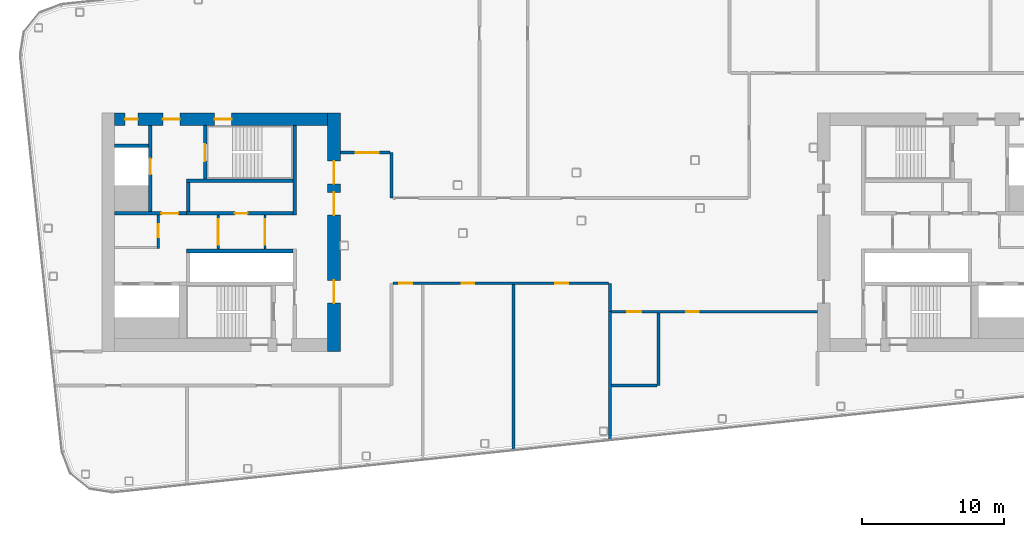
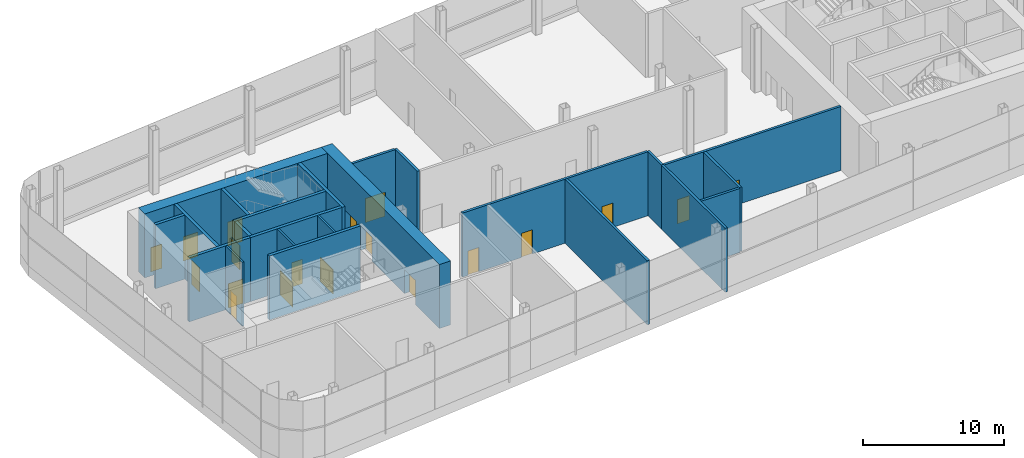
# One storey, part 15 of 35: 23 walls, 19 doors, 19 openings.
"""IFC4 building model written with IfcOpenShell, lengths in metres."""

from ifc_helpers import new_model, si_unit, direction, frame, frame_2d, origin, place, context, subcontext, project, spatial, rectangle, extrude, material, layer, layer_set, type_object, element, fill, save


model = new_model("IFC4")

# Units and contexts
model_context = context("Model", 3, precision=1e-05, world=origin(), true_north=direction((0.0, 1.0)))
body_context = subcontext(model_context, "Body", "Model", "MODEL_VIEW")
ifc_project = project(units=[si_unit("LENGTHUNIT", "METRE"), si_unit("AREAUNIT", "SQUARE_METRE"), si_unit("VOLUMEUNIT", "CUBIC_METRE"), si_unit("PLANEANGLEUNIT", "RADIAN"), si_unit("MASSUNIT", "GRAM", prefix="KILO")], contexts=[model_context])

# Site, building, storey
site_placement = place(None, origin())
site = spatial("IfcSite", under=ifc_project, at=site_placement, CompositionType="ELEMENT")
building_placement = place(site_placement, origin())
building = spatial("IfcBuilding", under=site, at=building_placement, Name="Hakoniwa Tower and Hamabe Station Hall", CompositionType="ELEMENT")
storey_placement = place(building_placement, frame((0.0, 0.0, 264.60009765625)))
storey = spatial("IfcBuildingStorey", under=building, at=storey_placement, Name="L75", CompositionType="ELEMENT", Elevation=264.60009765625)

# Wall, opening, door
ifc_material_1 = material(Name="Gypsum board partition")
ifc_layer_1 = layer(ifc_material_1, 0.14990234375)
ifc_layer_set_1 = layer_set([ifc_layer_1], Name="CORE PARTITION 150 EI 60")
wall_type_1 = type_object("IfcWallType", Name="CORE PARTITION 150 EI 60", PredefinedType="PARTITIONING", material=ifc_layer_set_1)
wall_1_placement = place(storey_placement, frame((-22.10009765625, -1.199951171875, 0.0), z_axis=(0.0, 0.0, 1.0), x_axis=(0.0, 1.0, 0.0)))
wall_1 = element("IfcWall", 1, at=wall_1_placement, inside=storey, type_object=wall_type_1, Name="Core partition PL0 west", PredefinedType="PARTITIONING", context=body_context, shape_type="SweptSolid", body=[
    extrude(rectangle(XDim=2.39990234375, YDim=0.14990234375, at=frame_2d((1.199951171875, 0.0))), origin(), (0.0, 0.0, 1.0), 5.5498046875),
])
opening_1_placement = place(wall_1_placement, frame((0.300048828125, 0.0, 0.0)))
opening_1 = element("IfcOpeningElement", 2, at=opening_1_placement, cuts=wall_1, Name="Opening CD-W-LP0-18", PredefinedType="OPENING", context=body_context, shape_type="SweptSolid", body=[
    extrude(rectangle(XDim=1.800048828125, YDim=2.10009765625, at=frame_2d((0.89990234375, 1.050048828125))), frame((0.0, 0.0849609375, 0.0), z_axis=(0.0, -1.0, 0.0), x_axis=(1.0, 0.0, 0.0)), (0.0, 0.0, 1.0), 0.169921875),
])
ifc_material_2 = material(Name="Steel fire door", Category="steel")
door_type_1 = type_object("IfcDoorType", Name="CORE DOOR 1800 FD60", OperationType="DOUBLE_DOOR_SINGLE_SWING", PredefinedType="DOOR", material=ifc_material_2)
door_1_placement = place(opening_1_placement, origin())
door_1 = element("IfcDoor", 3, at=door_1_placement, inside=storey, type_object=door_type_1, Name="Lift lobby partition door", OperationType="DOUBLE_DOOR_SINGLE_SWING", OverallHeight=2.10009765625, OverallWidth=1.800048828125, PredefinedType="DOOR", context=body_context, shape_type="SweptSolid", body=[
    extrude(rectangle(XDim=1.800048828125, YDim=2.10009765625, at=frame_2d((0.89990234375, 1.050048828125))), frame((0.0, 0.02490234375, 0.0), z_axis=(0.0, -1.0, 0.0), x_axis=(1.0, 0.0, 0.0)), (0.0, 0.0, 1.0), 0.050048828125),
])
fill(opening_1, door_1)

wall_2_placement = place(storey_placement, frame((-25.39990234375, -1.199951171875, 0.0), z_axis=(0.0, 0.0, 1.0), x_axis=(0.0, 1.0, 0.0)))
wall_2 = element("IfcWall", 4, at=wall_2_placement, inside=storey, type_object=wall_type_1, Name="Core partition PL1 west", PredefinedType="PARTITIONING", context=body_context, shape_type="SweptSolid", body=[
    extrude(rectangle(XDim=2.39990234375, YDim=0.14990234375, at=frame_2d((1.199951171875, 0.0))), origin(), (0.0, 0.0, 1.0), 5.5498046875),
])
opening_2_placement = place(wall_2_placement, frame((0.300048828125, 0.0, 0.0)))
opening_2 = element("IfcOpeningElement", 5, at=opening_2_placement, cuts=wall_2, Name="Opening CD-W-LP1-18", PredefinedType="OPENING", context=body_context, shape_type="SweptSolid", body=[
    extrude(rectangle(XDim=1.800048828125, YDim=2.10009765625, at=frame_2d((0.89990234375, 1.050048828125))), frame((0.0, 0.0849609375, 0.0), z_axis=(0.0, -1.0, 0.0), x_axis=(1.0, 0.0, 0.0)), (0.0, 0.0, 1.0), 0.169921875),
])
door_2_placement = place(opening_2_placement, origin())
door_2 = element("IfcDoor", 6, at=door_2_placement, inside=storey, type_object=door_type_1, Name="Lift lobby partition door", OperationType="DOUBLE_DOOR_SINGLE_SWING", OverallHeight=2.10009765625, OverallWidth=1.800048828125, PredefinedType="DOOR", context=body_context, shape_type="SweptSolid", body=[
    extrude(rectangle(XDim=1.800048828125, YDim=2.10009765625, at=frame_2d((0.89990234375, 1.050048828125))), frame((0.0, 0.02490234375, 0.0), z_axis=(0.0, -1.0, 0.0), x_axis=(1.0, 0.0, 0.0)), (0.0, 0.0, 1.0), 0.050048828125),
])
fill(opening_2, door_2)

wall_3_placement = place(storey_placement, frame((-29.625, -1.14990234375, 0.0), z_axis=(0.0, 0.0, 1.0), x_axis=(0.0, 1.0, 0.0)))
wall_3 = element("IfcWall", 7, at=wall_3_placement, inside=storey, type_object=wall_type_1, Name="Core partition PW0 west", PredefinedType="PARTITIONING", context=body_context, shape_type="SweptSolid", body=[
    extrude(rectangle(XDim=2.349853515625, YDim=0.14990234375, at=frame_2d((1.1748046875, 0.0))), origin(), (0.0, 0.0, 1.0), 5.5498046875),
])
opening_3_placement = place(wall_3_placement, frame((0.800048828125, 0.0, 0.0)))
opening_3 = element("IfcOpeningElement", 8, at=opening_3_placement, cuts=wall_3, Name="Opening CD-W-RM1-9", PredefinedType="OPENING", context=body_context, shape_type="SweptSolid", body=[
    extrude(rectangle(XDim=0.89990234375, YDim=2.10009765625, at=frame_2d((0.449951171875, 1.050048828125))), frame((0.0, 0.0849609375, 0.0), z_axis=(0.0, -1.0, 0.0), x_axis=(1.0, 0.0, 0.0)), (0.0, 0.0, 1.0), 0.169921875),
])
ifc_material_3 = material(Name="Steel fire door", Category="steel")
door_type_2 = type_object("IfcDoorType", Name="CORE DOOR 900 FD30", OperationType="NOTDEFINED", PredefinedType="DOOR", material=ifc_material_3)
door_3_placement = place(opening_3_placement, origin())
door_3 = element("IfcDoor", 9, at=door_3_placement, inside=storey, type_object=door_type_2, Name="Store room door", OperationType="SINGLE_SWING_LEFT", OverallHeight=2.10009765625, OverallWidth=0.89990234375, PredefinedType="DOOR", context=body_context, shape_type="SweptSolid", body=[
    extrude(rectangle(XDim=0.89990234375, YDim=2.10009765625, at=frame_2d((0.449951171875, 1.050048828125))), frame((0.0, 0.02490234375, 0.0), z_axis=(0.0, -1.0, 0.0), x_axis=(1.0, 0.0, 0.0)), (0.0, 0.0, 1.0), 0.050048828125),
])
fill(opening_3, door_3)

# Wall, openings, doors
ifc_material_4 = material(Name="Concrete C60", Category="concrete")
ifc_layer_2 = layer(ifc_material_4, 0.89990234375)
ifc_layer_set_2 = layer_set([ifc_layer_2], Name="CORE WALL 900 C60")
wall_type_2 = type_object("IfcWallType", Name="CORE WALL 900 C60", PredefinedType="SHEAR", material=ifc_layer_set_2)
wall_4_placement = place(storey_placement, frame((-17.25, -8.39990234375, 0.0), z_axis=(0.0, 0.0, 1.0), x_axis=(0.0, 1.0, 0.0)))
wall_4 = element("IfcWall", 10, at=wall_4_placement, inside=storey, type_object=wall_type_2, Name="Core wall INNER west", PredefinedType="SHEAR", context=body_context, shape_type="SweptSolid", body=[
    extrude(rectangle(XDim=16.7998046875, YDim=0.89990234375, at=frame_2d((8.39990234375, 0.0))), origin(), (0.0, 0.0, 1.0), 5.5498046875),
])
opening_4_placement = place(wall_4_placement, frame((3.39990234375, 0.0, 0.0)))
opening_4 = element("IfcOpeningElement", 11, at=opening_4_placement, cuts=wall_4, Name="Opening CD-W-IN1-16", PredefinedType="OPENING", context=body_context, shape_type="SweptSolid", body=[
    extrude(rectangle(XDim=1.60009765625, YDim=2.10009765625, at=frame_2d((0.800048828125, 1.050048828125))), frame((0.0, 0.4599609375, 0.0), z_axis=(0.0, -1.0, 0.0), x_axis=(1.0, 0.0, 0.0)), (0.0, 0.0, 1.0), 0.919921875),
])
opening_5_placement = place(wall_4_placement, frame((9.60009765625, 0.0, 0.0)))
opening_5 = element("IfcOpeningElement", 12, at=opening_5_placement, cuts=wall_4, Name="Opening CD-W-IN2-16", PredefinedType="OPENING", context=body_context, shape_type="SweptSolid", body=[
    extrude(rectangle(XDim=1.60009765625, YDim=2.10009765625, at=frame_2d((0.800048828125, 1.050048828125))), frame((0.0, 0.4599609375, 0.0), z_axis=(0.0, -1.0, 0.0), x_axis=(1.0, 0.0, 0.0)), (0.0, 0.0, 1.0), 0.919921875),
])
opening_6_placement = place(wall_4_placement, frame((11.800048828125, 0.0, 0.0)))
opening_6 = element("IfcOpeningElement", 13, at=opening_6_placement, cuts=wall_4, Name="Opening CD-W-IN3-16", PredefinedType="OPENING", context=body_context, shape_type="SweptSolid", body=[
    extrude(rectangle(XDim=1.60009765625, YDim=2.10009765625, at=frame_2d((0.800048828125, 1.050048828125))), frame((0.0, 0.4599609375, 0.0), z_axis=(0.0, -1.0, 0.0), x_axis=(1.0, 0.0, 0.0)), (0.0, 0.0, 1.0), 0.919921875),
])
ifc_material_5 = material(Name="Steel fire door", Category="steel")
door_type_3 = type_object("IfcDoorType", Name="CORE DOOR 1600 FD60", OperationType="DOUBLE_DOOR_SINGLE_SWING", PredefinedType="DOOR", material=ifc_material_5)
door_4_placement = place(opening_4_placement, origin())
door_4 = element("IfcDoor", 14, at=door_4_placement, inside=storey, type_object=door_type_3, Name="Lift lobby door", OperationType="DOUBLE_DOOR_SINGLE_SWING", OverallHeight=2.10009765625, OverallWidth=1.60009765625, PredefinedType="DOOR", context=body_context, shape_type="SweptSolid", body=[
    extrude(rectangle(XDim=1.60009765625, YDim=2.10009765625, at=frame_2d((0.800048828125, 1.050048828125))), frame((0.0, 0.02490234375, 0.0), z_axis=(0.0, -1.0, 0.0), x_axis=(1.0, 0.0, 0.0)), (0.0, 0.0, 1.0), 0.050048828125),
])
fill(opening_4, door_4)
door_5_placement = place(opening_5_placement, origin())
door_5 = element("IfcDoor", 15, at=door_5_placement, inside=storey, type_object=door_type_3, Name="Lift lobby door", OperationType="DOUBLE_DOOR_SINGLE_SWING", OverallHeight=2.10009765625, OverallWidth=1.60009765625, PredefinedType="DOOR", context=body_context, shape_type="SweptSolid", body=[
    extrude(rectangle(XDim=1.60009765625, YDim=2.10009765625, at=frame_2d((0.800048828125, 1.050048828125))), frame((0.0, 0.02490234375, 0.0), z_axis=(0.0, -1.0, 0.0), x_axis=(1.0, 0.0, 0.0)), (0.0, 0.0, 1.0), 0.050048828125),
])
fill(opening_5, door_5)
door_6_placement = place(opening_6_placement, origin())
door_6 = element("IfcDoor", 16, at=door_6_placement, inside=storey, type_object=door_type_3, Name="Lift lobby door", OperationType="DOUBLE_DOOR_SINGLE_SWING", OverallHeight=2.10009765625, OverallWidth=1.60009765625, PredefinedType="DOOR", context=body_context, shape_type="SweptSolid", body=[
    extrude(rectangle(XDim=1.60009765625, YDim=2.10009765625, at=frame_2d((0.800048828125, 1.050048828125))), frame((0.0, 0.02490234375, 0.0), z_axis=(0.0, -1.0, 0.0), x_axis=(1.0, 0.0, 0.0)), (0.0, 0.0, 1.0), 0.050048828125),
])
fill(opening_6, door_6)

wall_5_placement = place(storey_placement, frame((-32.699951171875, 7.949951171875, 0.0), z_axis=(0.0, 0.0, 1.0), x_axis=(1.0, 0.0, 0.0)))
wall_5 = element("IfcWall", 17, at=wall_5_placement, inside=storey, type_object=wall_type_2, Name="Core wall NORTH west", PredefinedType="SHEAR", context=body_context, shape_type="SweptSolid", body=[
    extrude(rectangle(XDim=15.0, YDim=0.89990234375, at=frame_2d((7.5, 0.0))), origin(), (0.0, 0.0, 1.0), 5.5498046875),
])
opening_7_placement = place(wall_5_placement, frame((3.39990234375, 0.0, 0.0)))
opening_7 = element("IfcOpeningElement", 18, at=opening_7_placement, cuts=wall_5, Name="Opening CD-W-FN1-12", PredefinedType="OPENING", context=body_context, shape_type="SweptSolid", body=[
    extrude(rectangle(XDim=1.199951171875, YDim=2.10009765625, at=frame_2d((0.60009765625, 1.050048828125))), frame((0.0, 0.4599609375, 0.0), z_axis=(0.0, -1.0, 0.0), x_axis=(1.0, 0.0, 0.0)), (0.0, 0.0, 1.0), 0.919921875),
])
opening_8_placement = place(wall_5_placement, frame((0.75, 0.0, 0.0)))
opening_8 = element("IfcOpeningElement", 19, at=opening_8_placement, cuts=wall_5, Name="Opening CD-W-FN2-9", PredefinedType="OPENING", context=body_context, shape_type="SweptSolid", body=[
    extrude(rectangle(XDim=0.89990234375, YDim=2.10009765625, at=frame_2d((0.449951171875, 1.050048828125))), frame((0.0, 0.4599609375, 0.0), z_axis=(0.0, -1.0, 0.0), x_axis=(1.0, 0.0, 0.0)), (0.0, 0.0, 1.0), 0.919921875),
])
opening_9_placement = place(wall_5_placement, frame((7.050048828125, 0.0, 0.0)))
opening_9 = element("IfcOpeningElement", 20, at=opening_9_placement, cuts=wall_5, Name="Opening CD-W-FN4-12", PredefinedType="OPENING", context=body_context, shape_type="SweptSolid", body=[
    extrude(rectangle(XDim=1.199951171875, YDim=2.10009765625, at=frame_2d((0.60009765625, 1.050048828125))), frame((0.0, 0.4599609375, 0.0), z_axis=(0.0, -1.0, 0.0), x_axis=(1.0, 0.0, 0.0)), (0.0, 0.0, 1.0), 0.919921875),
])
ifc_material_6 = material(Name="Steel fire door", Category="steel")
door_type_4 = type_object("IfcDoorType", Name="CORE DOOR 1200 FD60", OperationType="DOUBLE_DOOR_SINGLE_SWING", PredefinedType="DOOR", material=ifc_material_6)
door_7_placement = place(opening_7_placement, origin())
door_7 = element("IfcDoor", 21, at=door_7_placement, inside=storey, type_object=door_type_4, Name="Stair vestibule door to the fire-fighting lobby", OperationType="DOUBLE_DOOR_SINGLE_SWING", OverallHeight=2.10009765625, OverallWidth=1.199951171875, PredefinedType="DOOR", context=body_context, shape_type="SweptSolid", body=[
    extrude(rectangle(XDim=1.199951171875, YDim=2.10009765625, at=frame_2d((0.60009765625, 1.050048828125))), frame((0.0, 0.02490234375, 0.0), z_axis=(0.0, -1.0, 0.0), x_axis=(1.0, 0.0, 0.0)), (0.0, 0.0, 1.0), 0.050048828125),
])
fill(opening_7, door_7)
door_8_placement = place(opening_9_placement, origin())
door_8 = element("IfcDoor", 22, at=door_8_placement, inside=storey, type_object=door_type_4, Name="Stair vestibule door to stair A", OperationType="DOUBLE_DOOR_SINGLE_SWING", OverallHeight=2.10009765625, OverallWidth=1.199951171875, PredefinedType="DOOR", context=body_context, shape_type="SweptSolid", body=[
    extrude(rectangle(XDim=1.199951171875, YDim=2.10009765625, at=frame_2d((0.60009765625, 1.050048828125))), frame((0.0, 0.02490234375, 0.0), z_axis=(0.0, -1.0, 0.0), x_axis=(1.0, 0.0, 0.0)), (0.0, 0.0, 1.0), 0.050048828125),
])
fill(opening_9, door_8)
door_9_placement = place(opening_8_placement, origin())
door_9 = element("IfcDoor", 23, at=door_9_placement, inside=storey, type_object=door_type_2, Name="Riser access door", OperationType="SINGLE_SWING_LEFT", OverallHeight=2.10009765625, OverallWidth=0.89990234375, PredefinedType="DOOR", context=body_context, shape_type="SweptSolid", body=[
    extrude(rectangle(XDim=0.89990234375, YDim=2.10009765625, at=frame_2d((0.449951171875, 1.050048828125))), frame((0.0, 0.02490234375, 0.0), z_axis=(0.0, -1.0, 0.0), x_axis=(1.0, 0.0, 0.0)), (0.0, 0.0, 1.0), 0.050048828125),
])
fill(opening_8, door_9)

# Wall
ifc_material_7 = material(Name="Concrete C60", Category="concrete")
ifc_layer_3 = layer(ifc_material_7, 0.25)
ifc_layer_set_3 = layer_set([ifc_layer_3], Name="CORE WEB WALL 250 C60")
wall_type_3 = type_object("IfcWallType", Name="CORE WEB WALL 250 C60", PredefinedType="SHEAR", material=ifc_layer_set_3)
wall_6_placement = place(storey_placement, frame((-20.02490234375, 1.199951171875, 0.0), z_axis=(0.0, 0.0, 1.0), x_axis=(0.0, 1.0, 0.0)))
element("IfcWall", 24, at=wall_6_placement, inside=storey, type_object=wall_type_3, Name="Core wall W1N west", PredefinedType="SHEAR", context=body_context, shape_type="SweptSolid", body=[
    extrude(rectangle(XDim=6.300048828125, YDim=0.25, at=frame_2d((3.14990234375, 0.0))), origin(), (0.0, 0.0, 1.0), 5.5498046875),
])

# Wall, opening, door
wall_7_placement = place(storey_placement, frame((-27.64990234375, 1.324951171875, 0.0), z_axis=(0.0, 0.0, 1.0), x_axis=(1.0, 0.0, 0.0)))
wall_7 = element("IfcWall", 25, at=wall_7_placement, inside=storey, type_object=wall_type_3, Name="Core wall NF west", PredefinedType="SHEAR", context=body_context, shape_type="SweptSolid", body=[
    extrude(rectangle(XDim=7.5, YDim=0.25, at=frame_2d((3.75, 0.0))), origin(), (0.0, 0.0, 1.0), 5.5498046875),
])
opening_10_placement = place(wall_7_placement, frame((3.425048828125, 0.0, 0.0)))
opening_10 = element("IfcOpeningElement", 26, at=opening_10_placement, cuts=wall_7, Name="Opening CD-W-FRLR0-9", PredefinedType="OPENING", context=body_context, shape_type="SweptSolid", body=[
    extrude(rectangle(XDim=0.89990234375, YDim=2.10009765625, at=frame_2d((0.449951171875, 1.050048828125))), frame((0.0, 0.135009765625, 0.0), z_axis=(0.0, -1.0, 0.0), x_axis=(1.0, 0.0, 0.0)), (0.0, 0.0, 1.0), 0.27001953125),
])
door_10_placement = place(opening_10_placement, origin())
door_10 = element("IfcDoor", 27, at=door_10_placement, inside=storey, type_object=door_type_2, Name="Store room door", OperationType="SINGLE_SWING_LEFT", OverallHeight=2.10009765625, OverallWidth=0.89990234375, PredefinedType="DOOR", context=body_context, shape_type="SweptSolid", body=[
    extrude(rectangle(XDim=0.89990234375, YDim=2.10009765625, at=frame_2d((0.449951171875, 1.050048828125))), frame((0.0, 0.02490234375, 0.0), z_axis=(0.0, -1.0, 0.0), x_axis=(1.0, 0.0, 0.0)), (0.0, 0.0, 1.0), 0.050048828125),
])
fill(opening_10, door_10)

# Walls
wall_8_placement = place(storey_placement, frame((-27.52490234375, 1.449951171875, 0.0), z_axis=(0.0, 0.0, 1.0), x_axis=(0.0, 1.0, 0.0)))
element("IfcWall", 28, at=wall_8_placement, inside=storey, type_object=wall_type_3, Name="Core wall NE west", PredefinedType="SHEAR", context=body_context, shape_type="SweptSolid", body=[
    extrude(rectangle(XDim=2.050048828125, YDim=0.25, at=frame_2d((1.02490234375, 0.0))), origin(), (0.0, 0.0, 1.0), 5.5498046875),
])
wall_9_placement = place(storey_placement, frame((-27.64990234375, 3.625, 0.0), z_axis=(0.0, 0.0, 1.0), x_axis=(1.0, 0.0, 0.0)))
element("IfcWall", 29, at=wall_9_placement, inside=storey, type_object=wall_type_3, Name="Core wall NR west", PredefinedType="SHEAR", context=body_context, shape_type="SweptSolid", body=[
    extrude(rectangle(XDim=7.5, YDim=0.25, at=frame_2d((3.75, 0.0))), origin(), (0.0, 0.0, 1.0), 5.5498046875),
])

# Wall, opening, door
wall_10_placement = place(storey_placement, frame((-26.324951171875, 3.75, 0.0), z_axis=(0.0, 0.0, 1.0), x_axis=(0.0, 1.0, 0.0)))
wall_10 = element("IfcWall", 30, at=wall_10_placement, inside=storey, type_object=wall_type_3, Name="Core wall NSE west", PredefinedType="SHEAR", context=body_context, shape_type="SweptSolid", body=[
    extrude(rectangle(XDim=3.75, YDim=0.25, at=frame_2d((1.875, 0.0))), origin(), (0.0, 0.0, 1.0), 5.5498046875),
])
opening_11_placement = place(wall_10_placement, frame((1.25, 0.0, 0.0)))
opening_11 = element("IfcOpeningElement", 31, at=opening_11_placement, cuts=wall_10, Name="Opening CD-W-SN-12", PredefinedType="OPENING", context=body_context, shape_type="SweptSolid", body=[
    extrude(rectangle(XDim=1.199951171875, YDim=2.10009765625, at=frame_2d((0.60009765625, 1.050048828125))), frame((0.0, 0.135009765625, 0.0), z_axis=(0.0, -1.0, 0.0), x_axis=(1.0, 0.0, 0.0)), (0.0, 0.0, 1.0), 0.27001953125),
])
door_11_placement = place(opening_11_placement, origin())
door_11 = element("IfcDoor", 32, at=door_11_placement, inside=storey, type_object=door_type_4, Name="Escape stair door", OperationType="DOUBLE_DOOR_SINGLE_SWING", OverallHeight=2.10009765625, OverallWidth=1.199951171875, PredefinedType="DOOR", context=body_context, shape_type="SweptSolid", body=[
    extrude(rectangle(XDim=1.199951171875, YDim=2.10009765625, at=frame_2d((0.60009765625, 1.050048828125))), frame((0.0, 0.02490234375, 0.0), z_axis=(0.0, -1.0, 0.0), x_axis=(1.0, 0.0, 0.0)), (0.0, 0.0, 1.0), 0.050048828125),
])
fill(opening_11, door_11)

wall_11_placement = place(storey_placement, frame((-32.699951171875, 1.324951171875, 0.0), z_axis=(0.0, 0.0, 1.0), x_axis=(1.0, 0.0, 0.0)))
wall_11 = element("IfcWall", 33, at=wall_11_placement, inside=storey, type_object=wall_type_3, Name="Core wall ELN west", PredefinedType="SHEAR", context=body_context, shape_type="SweptSolid", body=[
    extrude(rectangle(XDim=5.050048828125, YDim=0.25, at=frame_2d((2.52490234375, 0.0))), origin(), (0.0, 0.0, 1.0), 5.5498046875),
])
opening_12_placement = place(wall_11_placement, frame((3.300048828125, 0.0, 0.0)))
opening_12 = element("IfcOpeningElement", 34, at=opening_12_placement, cuts=wall_11, Name="Opening CD-W-FL-12", PredefinedType="OPENING", context=body_context, shape_type="SweptSolid", body=[
    extrude(rectangle(XDim=1.199951171875, YDim=2.10009765625, at=frame_2d((0.60009765625, 1.050048828125))), frame((0.0, 0.135009765625, 0.0), z_axis=(0.0, -1.0, 0.0), x_axis=(1.0, 0.0, 0.0)), (0.0, 0.0, 1.0), 0.27001953125),
])
door_12_placement = place(opening_12_placement, origin())
door_12 = element("IfcDoor", 35, at=door_12_placement, inside=storey, type_object=door_type_4, Name="Stair vestibule door to the fire-fighting lobby", OperationType="DOUBLE_DOOR_SINGLE_SWING", OverallHeight=2.10009765625, OverallWidth=1.199951171875, PredefinedType="DOOR", context=body_context, shape_type="SweptSolid", body=[
    extrude(rectangle(XDim=1.199951171875, YDim=2.10009765625, at=frame_2d((0.60009765625, 1.050048828125))), frame((0.0, 0.02490234375, 0.0), z_axis=(0.0, -1.0, 0.0), x_axis=(1.0, 0.0, 0.0)), (0.0, 0.0, 1.0), 0.050048828125),
])
fill(opening_12, door_12)

wall_12_placement = place(storey_placement, frame((-30.175048828125, 1.449951171875, 0.0), z_axis=(0.0, 0.0, 1.0), x_axis=(0.0, 1.0, 0.0)))
wall_12 = element("IfcWall", 36, at=wall_12_placement, inside=storey, type_object=wall_type_3, Name="Core wall FFF west", PredefinedType="SHEAR", context=body_context, shape_type="SweptSolid", body=[
    extrude(rectangle(XDim=6.050048828125, YDim=0.25, at=frame_2d((3.02490234375, 0.0))), origin(), (0.0, 0.0, 1.0), 5.5498046875),
])
opening_13_placement = place(wall_12_placement, frame((2.625, 0.0, 0.0)))
opening_13 = element("IfcOpeningElement", 37, at=opening_13_placement, cuts=wall_12, Name="Opening LD-FF1", PredefinedType="OPENING", context=body_context, shape_type="SweptSolid", body=[
    extrude(rectangle(XDim=1.10009765625, YDim=2.10009765625, at=frame_2d((0.550048828125, 1.050048828125))), frame((0.0, 0.135009765625, 0.0), z_axis=(0.0, -1.0, 0.0), x_axis=(1.0, 0.0, 0.0)), (0.0, 0.0, 1.0), 0.27001953125),
])
ifc_material_8 = material(Name="Stainless steel SUS304", Category="steel")
door_type_5 = type_object("IfcDoorType", Name="LIFT LANDING DOOR 1100 FD60", OperationType="DOUBLE_DOOR_SLIDING", PredefinedType="DOOR", material=ifc_material_8)
door_13_placement = place(opening_13_placement, origin())
door_13 = element("IfcDoor", 38, at=door_13_placement, inside=storey, type_object=door_type_5, Name="Lift landing door FF1 L75", OperationType="DOUBLE_DOOR_SLIDING", OverallHeight=2.10009765625, OverallWidth=1.10009765625, PredefinedType="DOOR", context=body_context, shape_type="SweptSolid", body=[
    extrude(rectangle(XDim=1.10009765625, YDim=2.10009765625, at=frame_2d((0.550048828125, 1.050048828125))), frame((0.0, 0.02490234375, 0.0), z_axis=(0.0, -1.0, 0.0), x_axis=(1.0, 0.0, 0.0)), (0.0, 0.0, 1.0), 0.050048828125),
])
fill(opening_13, door_13)

# Walls
wall_13_placement = place(storey_placement, frame((-32.699951171875, 6.074951171875, 0.0), z_axis=(0.0, 0.0, 1.0), x_axis=(1.0, 0.0, 0.0)))
element("IfcWall", 39, at=wall_13_placement, inside=storey, type_object=wall_type_3, Name="Core wall C2 west", PredefinedType="SHEAR", context=body_context, shape_type="SweptSolid", body=[
    extrude(rectangle(XDim=2.39990234375, YDim=0.25, at=frame_2d((1.199951171875, 0.0))), origin(), (0.0, 0.0, 1.0), 5.5498046875),
])
wall_14_placement = place(storey_placement, frame((-27.64990234375, -1.324951171875, 0.0), z_axis=(0.0, 0.0, 1.0), x_axis=(1.0, 0.0, 0.0)))
element("IfcWall", 40, at=wall_14_placement, inside=storey, type_object=wall_type_3, Name="Core wall SF west", PredefinedType="SHEAR", context=body_context, shape_type="SweptSolid", body=[
    extrude(rectangle(XDim=7.5, YDim=0.25, at=frame_2d((3.75, 0.0))), origin(), (0.0, 0.0, 1.0), 5.5498046875),
])

# Wall, openings, doors
ifc_material_9 = material(Name="Fire-rated gypsum board partition", Category="gypsum")
ifc_layer_4 = layer(ifc_material_9, 0.199951171875)
ifc_layer_set_4 = layer_set([ifc_layer_4], Name="Corridor Wall 200")
wall_type_4 = type_object("IfcWallType", Name="Corridor Wall 200", PredefinedType="PARTITIONING", material=ifc_layer_set_4)
wall_15_placement = place(storey_placement, frame((2.300048828125, -5.60009765625, 0.0), z_axis=(0.0, 0.0, 1.0), x_axis=(1.0, 0.0, 0.0)))
wall_15 = element("IfcWall", 41, at=wall_15_placement, inside=storey, type_object=wall_type_4, Name="GW-L75-004", PredefinedType="PARTITIONING", context=body_context, shape_type="SweptSolid", body=[
    extrude(rectangle(XDim=14.5, YDim=0.199951171875, at=frame_2d((7.25, 0.0))), origin(), (0.0, 0.0, 1.0), 5.5498046875),
])
opening_14_placement = place(wall_15_placement, frame((1.10009765625, 0.0, 0.0)))
opening_14 = element("IfcOpeningElement", 42, at=opening_14_placement, cuts=wall_15, Name="Opening GD-SL75-04", PredefinedType="OPENING", context=body_context, shape_type="SweptSolid", body=[
    extrude(rectangle(XDim=1.0, YDim=2.10009765625, at=frame_2d((0.5, 1.050048828125))), frame((0.0, 0.10986328125, 0.0), z_axis=(0.0, -1.0, 0.0), x_axis=(1.0, 0.0, 0.0)), (0.0, 0.0, 1.0), 0.219970703125),
])
opening_15_placement = place(wall_15_placement, frame((5.25, 0.0, 0.0)))
opening_15 = element("IfcOpeningElement", 43, at=opening_15_placement, cuts=wall_15, Name="Opening GD-SL75-05", PredefinedType="OPENING", context=body_context, shape_type="SweptSolid", body=[
    extrude(rectangle(XDim=0.89990234375, YDim=2.10009765625, at=frame_2d((0.449951171875, 1.050048828125))), frame((0.0, 0.10986328125, 0.0), z_axis=(0.0, -1.0, 0.0), x_axis=(1.0, 0.0, 0.0)), (0.0, 0.0, 1.0), 0.219970703125),
])
ifc_material_10 = material(Name="Timber door leaf", Category="wood")
door_type_6 = type_object("IfcDoorType", Name="Accessible Bathroom Door 1000", OperationType="SINGLE_SWING_LEFT", PredefinedType="DOOR", material=ifc_material_10)
door_14_placement = place(opening_14_placement, origin())
door_14 = element("IfcDoor", 44, at=door_14_placement, inside=storey, type_object=door_type_6, Name="Door GD-SL75-04", OperationType="SINGLE_SWING_RIGHT", OverallHeight=2.10009765625, OverallWidth=1.0, PredefinedType="DOOR", context=body_context, shape_type="SweptSolid", body=[
    extrude(rectangle(XDim=1.0, YDim=2.10009765625, at=frame_2d((0.5, 1.050048828125))), frame((0.0, 0.02490234375, 0.0), z_axis=(0.0, -1.0, 0.0), x_axis=(1.0, 0.0, 0.0)), (0.0, 0.0, 1.0), 0.050048828125),
])
fill(opening_14, door_14)
ifc_material_11 = material(Name="Timber door leaf", Category="wood")
door_type_7 = type_object("IfcDoorType", Name="Service Door 900", OperationType="SINGLE_SWING_LEFT", PredefinedType="DOOR", material=ifc_material_11)
door_15_placement = place(opening_15_placement, origin())
door_15 = element("IfcDoor", 45, at=door_15_placement, inside=storey, type_object=door_type_7, Name="Door GD-SL75-05", OperationType="SINGLE_SWING_LEFT", OverallHeight=2.10009765625, OverallWidth=0.89990234375, PredefinedType="DOOR", context=body_context, shape_type="SweptSolid", body=[
    extrude(rectangle(XDim=0.89990234375, YDim=2.10009765625, at=frame_2d((0.449951171875, 1.050048828125))), frame((0.0, 0.02490234375, 0.0), z_axis=(0.0, -1.0, 0.0), x_axis=(1.0, 0.0, 0.0)), (0.0, 0.0, 1.0), 0.050048828125),
])
fill(opening_15, door_15)

wall_16_placement = place(storey_placement, frame((-13.10009765625, -3.60009765625, 0.0), z_axis=(0.0, 0.0, 1.0), x_axis=(1.0, 0.0, 0.0)))
wall_16 = element("IfcWall", 46, at=wall_16_placement, inside=storey, type_object=wall_type_4, Name="GW-L75-005", PredefinedType="PARTITIONING", context=body_context, shape_type="SweptSolid", body=[
    extrude(rectangle(XDim=15.2001953125, YDim=0.199951171875, at=frame_2d((7.60009765625, 0.0))), origin(), (0.0, 0.0, 1.0), 5.5498046875),
])
opening_16_placement = place(wall_16_placement, frame((0.449951171875, 0.0, 0.0)))
opening_16 = element("IfcOpeningElement", 47, at=opening_16_placement, cuts=wall_16, Name="Opening GD-SL75-06", PredefinedType="OPENING", context=body_context, shape_type="SweptSolid", body=[
    extrude(rectangle(XDim=0.89990234375, YDim=2.10009765625, at=frame_2d((0.449951171875, 1.050048828125))), frame((0.0, 0.10986328125, 0.0), z_axis=(0.0, -1.0, 0.0), x_axis=(1.0, 0.0, 0.0)), (0.0, 0.0, 1.0), 0.219970703125),
])
opening_17_placement = place(wall_16_placement, frame((4.85009765625, 0.0, 0.0)))
opening_17 = element("IfcOpeningElement", 48, at=opening_17_placement, cuts=wall_16, Name="Opening GD-SL75-07", PredefinedType="OPENING", context=body_context, shape_type="SweptSolid", body=[
    extrude(rectangle(XDim=0.89990234375, YDim=2.10009765625, at=frame_2d((0.449951171875, 1.050048828125))), frame((0.0, 0.10986328125, 0.0), z_axis=(0.0, -1.0, 0.0), x_axis=(1.0, 0.0, 0.0)), (0.0, 0.0, 1.0), 0.219970703125),
])
opening_18_placement = place(wall_16_placement, frame((11.449951171875, 0.0, 0.0)))
opening_18 = element("IfcOpeningElement", 49, at=opening_18_placement, cuts=wall_16, Name="Opening GD-SL75-08", PredefinedType="OPENING", context=body_context, shape_type="SweptSolid", body=[
    extrude(rectangle(XDim=0.89990234375, YDim=2.10009765625, at=frame_2d((0.449951171875, 1.050048828125))), frame((0.0, 0.10986328125, 0.0), z_axis=(0.0, -1.0, 0.0), x_axis=(1.0, 0.0, 0.0)), (0.0, 0.0, 1.0), 0.219970703125),
])
door_16_placement = place(opening_16_placement, origin())
door_16 = element("IfcDoor", 50, at=door_16_placement, inside=storey, type_object=door_type_7, Name="Door GD-SL75-06", OperationType="SINGLE_SWING_LEFT", OverallHeight=2.10009765625, OverallWidth=0.89990234375, PredefinedType="DOOR", context=body_context, shape_type="SweptSolid", body=[
    extrude(rectangle(XDim=0.89990234375, YDim=2.10009765625, at=frame_2d((0.449951171875, 1.050048828125))), frame((0.0, 0.02490234375, 0.0), z_axis=(0.0, -1.0, 0.0), x_axis=(1.0, 0.0, 0.0)), (0.0, 0.0, 1.0), 0.050048828125),
])
fill(opening_16, door_16)
door_17_placement = place(opening_17_placement, origin())
door_17 = element("IfcDoor", 51, at=door_17_placement, inside=storey, type_object=door_type_7, Name="Door GD-SL75-07", OperationType="SINGLE_SWING_LEFT", OverallHeight=2.10009765625, OverallWidth=0.89990234375, PredefinedType="DOOR", context=body_context, shape_type="SweptSolid", body=[
    extrude(rectangle(XDim=0.89990234375, YDim=2.10009765625, at=frame_2d((0.449951171875, 1.050048828125))), frame((0.0, 0.02490234375, 0.0), z_axis=(0.0, -1.0, 0.0), x_axis=(1.0, 0.0, 0.0)), (0.0, 0.0, 1.0), 0.050048828125),
])
fill(opening_17, door_17)
door_18_placement = place(opening_18_placement, origin())
door_18 = element("IfcDoor", 52, at=door_18_placement, inside=storey, type_object=door_type_7, Name="Door GD-SL75-08", OperationType="SINGLE_SWING_RIGHT", OverallHeight=2.10009765625, OverallWidth=0.89990234375, PredefinedType="DOOR", context=body_context, shape_type="SweptSolid", body=[
    extrude(rectangle(XDim=0.89990234375, YDim=2.10009765625, at=frame_2d((0.449951171875, 1.050048828125))), frame((0.0, 0.02490234375, 0.0), z_axis=(0.0, -1.0, 0.0), x_axis=(1.0, 0.0, 0.0)), (0.0, 0.0, 1.0), 0.050048828125),
])
fill(opening_18, door_18)

# Wall, opening, door
wall_17_placement = place(storey_placement, frame((-16.800048828125, 5.60009765625, 0.0), z_axis=(0.0, 0.0, 1.0), x_axis=(1.0, 0.0, 0.0)))
wall_17 = element("IfcWall", 53, at=wall_17_placement, inside=storey, type_object=wall_type_4, Name="GW-L75-007", PredefinedType="PARTITIONING", context=body_context, shape_type="SweptSolid", body=[
    extrude(rectangle(XDim=3.5, YDim=0.199951171875, at=frame_2d((1.75, 0.0))), origin(), (0.0, 0.0, 1.0), 5.5498046875),
])
opening_19_placement = place(wall_17_placement, frame((1.10009765625, 0.0, 0.0)))
opening_19 = element("IfcOpeningElement", 54, at=opening_19_placement, cuts=wall_17, Name="Opening GD-SL75-12", PredefinedType="OPENING", context=body_context, shape_type="SweptSolid", body=[
    extrude(rectangle(XDim=1.60009765625, YDim=2.10009765625, at=frame_2d((0.800048828125, 1.050048828125))), frame((0.0, 0.10986328125, 0.0), z_axis=(0.0, -1.0, 0.0), x_axis=(1.0, 0.0, 0.0)), (0.0, 0.0, 1.0), 0.219970703125),
])
ifc_material_12 = material(Name="Timber door leaf", Category="wood")
door_type_8 = type_object("IfcDoorType", Name="Double Door 1600", OperationType="DOUBLE_DOOR_SINGLE_SWING", PredefinedType="DOOR", material=ifc_material_12)
door_19_placement = place(opening_19_placement, origin())
door_19 = element("IfcDoor", 55, at=door_19_placement, inside=storey, type_object=door_type_8, Name="Door GD-SL75-12", OperationType="DOUBLE_DOOR_SINGLE_SWING", OverallHeight=2.10009765625, OverallWidth=1.60009765625, PredefinedType="DOOR", context=body_context, shape_type="SweptSolid", body=[
    extrude(rectangle(XDim=1.60009765625, YDim=2.10009765625, at=frame_2d((0.800048828125, 1.050048828125))), frame((0.0, 0.02490234375, 0.0), z_axis=(0.0, -1.0, 0.0), x_axis=(1.0, 0.0, 0.0)), (0.0, 0.0, 1.0), 0.050048828125),
])
fill(opening_19, door_19)

# Walls
wall_18_placement = place(storey_placement, frame((-13.199951171875, 2.39990234375, 0.0), z_axis=(0.0, 0.0, 1.0), x_axis=(0.0, 1.0, 0.0)))
element("IfcWall", 56, at=wall_18_placement, inside=storey, type_object=wall_type_4, Name="GW-L75-013", PredefinedType="PARTITIONING", context=body_context, shape_type="SweptSolid", body=[
    extrude(rectangle(XDim=3.2001953125, YDim=0.199951171875, at=frame_2d((1.60009765625, 0.0))), origin(), (0.0, 0.0, 1.0), 5.5498046875),
])
wall_19_placement = place(storey_placement, frame((2.199951171875, -5.60009765625, 0.0), z_axis=(0.0, 0.0, 1.0), x_axis=(0.0, 1.0, 0.0)))
element("IfcWall", 57, at=wall_19_placement, inside=storey, type_object=wall_type_4, Name="GW-L75-019", PredefinedType="PARTITIONING", context=body_context, shape_type="SweptSolid", body=[
    extrude(rectangle(XDim=2.0, YDim=0.199951171875, at=frame_2d((1.0, 0.0))), origin(), (0.0, 0.0, 1.0), 5.5498046875),
])
ifc_material_13 = material(Name="Fire-rated gypsum board partition", Category="gypsum")
ifc_layer_5 = layer(ifc_material_13, 0.199951171875)
ifc_layer_set_5 = layer_set([ifc_layer_5], Name="Party Wall 200")
wall_type_5 = type_object("IfcWallType", Name="Party Wall 200", PredefinedType="PARTITIONING", material=ifc_layer_set_5)
wall_20_placement = place(storey_placement, frame((2.300048828125, -10.800048828125, 0.0), z_axis=(0.0, 0.0, 1.0), x_axis=(1.0, 0.0, 0.0)))
element("IfcWall", 58, at=wall_20_placement, inside=storey, type_object=wall_type_5, Name="GW-L75-002", PredefinedType="PARTITIONING", context=body_context, shape_type="SweptSolid", body=[
    extrude(rectangle(XDim=3.199951171875, YDim=0.199951171875, at=frame_2d((1.60009765625, 0.0))), origin(), (0.0, 0.0, 1.0), 5.5498046875),
])
wall_21_placement = place(storey_placement, frame((-4.60009765625, -15.37890625, 0.0), z_axis=(0.0, 0.0, 1.0), x_axis=(0.0, 1.0, 0.0)))
element("IfcWall", 59, at=wall_21_placement, inside=storey, type_object=wall_type_5, Name="GW-L75-016", PredefinedType="PARTITIONING", context=body_context, shape_type="SweptSolid", body=[
    extrude(rectangle(XDim=11.678955078125, YDim=0.199951171875, at=frame_2d((5.83935546875, 0.0))), origin(), (0.0, 0.0, 1.0), 5.5498046875),
])
wall_22_placement = place(storey_placement, frame((2.199951171875, -14.6640625, 0.0), z_axis=(0.0, 0.0, 1.0), x_axis=(0.0, 1.0, 0.0)))
element("IfcWall", 60, at=wall_22_placement, inside=storey, type_object=wall_type_5, Name="GW-L75-018", PredefinedType="PARTITIONING", context=body_context, shape_type="SweptSolid", body=[
    extrude(rectangle(XDim=9.06396484375, YDim=0.199951171875, at=frame_2d((4.531982421875, 0.0))), origin(), (0.0, 0.0, 1.0), 5.5498046875),
])
wall_23_placement = place(storey_placement, frame((5.60009765625, -10.800048828125, 0.0), z_axis=(0.0, 0.0, 1.0), x_axis=(0.0, 1.0, 0.0)))
element("IfcWall", 61, at=wall_23_placement, inside=storey, type_object=wall_type_5, Name="GW-L75-020", PredefinedType="PARTITIONING", context=body_context, shape_type="SweptSolid", body=[
    extrude(rectangle(XDim=5.10009765625, YDim=0.199951171875, at=frame_2d((2.550048828125, 0.0))), origin(), (0.0, 0.0, 1.0), 5.5498046875),
])

save(model, "model.ifc")
